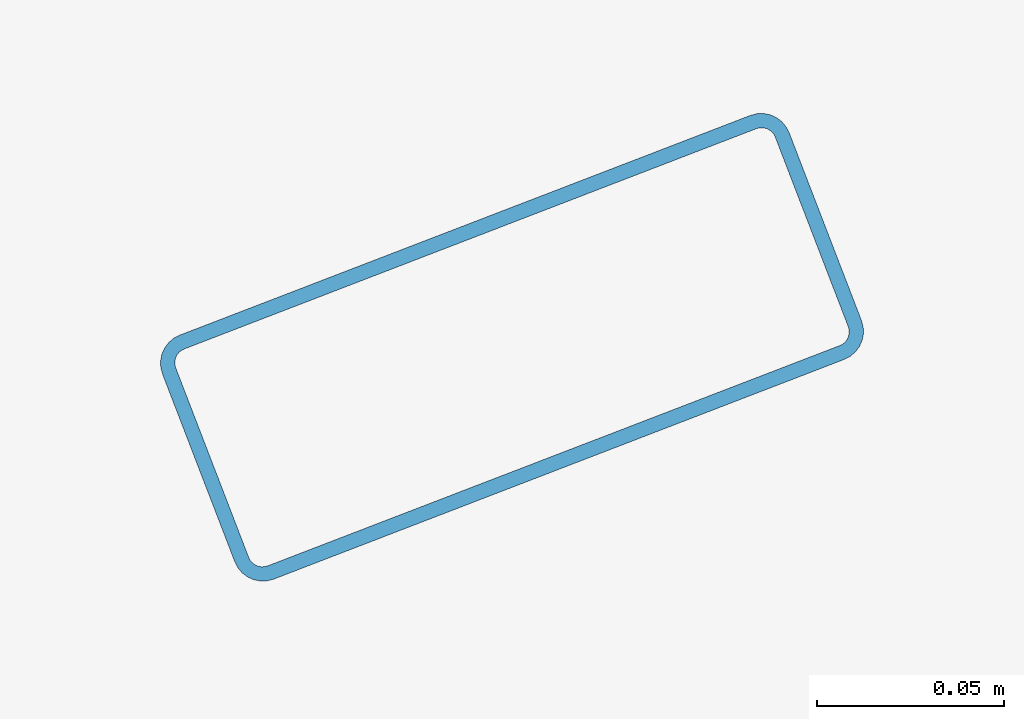
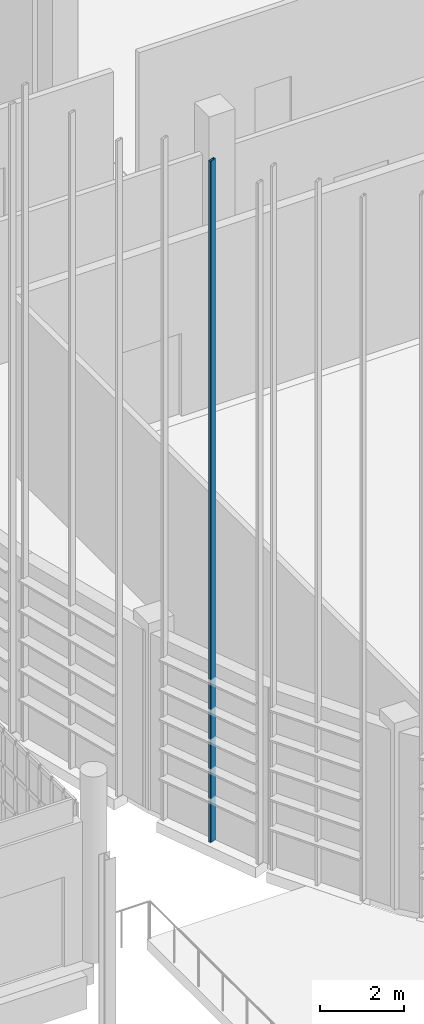
# One storey, part 163 of 372: 1 member.
"""IFC4 building model written with IfcOpenShell, lengths in metres."""

from ifc_helpers import new_model, si_unit, direction, frame, origin, origin_2d, place, context, subcontext, project, spatial, hollow_rectangle, extrude, material, material_profile, profile_set, type_object, element, save


model = new_model("IFC4")

# Units and contexts
model_context = context("Model", 3, precision=1e-05, world=origin(), true_north=direction((0.0, 1.0)))
body_context = subcontext(model_context, "Body", "Model", "MODEL_VIEW")
ifc_project = project(units=[si_unit("LENGTHUNIT", "METRE"), si_unit("AREAUNIT", "SQUARE_METRE"), si_unit("VOLUMEUNIT", "CUBIC_METRE"), si_unit("PLANEANGLEUNIT", "RADIAN"), si_unit("MASSUNIT", "GRAM", prefix="KILO")], contexts=[model_context])

# Site, building, storey
site_placement = place(None, origin())
site = spatial("IfcSite", under=ifc_project, at=site_placement, CompositionType="ELEMENT")
building_placement = place(site_placement, origin())
building = spatial("IfcBuilding", under=site, at=building_placement, Name="Kaelora Sail Theatre", CompositionType="ELEMENT")
storey_placement = place(building_placement, origin())
storey = spatial("IfcBuildingStorey", under=building, at=storey_placement, Name="L00", CompositionType="ELEMENT", Elevation=0.0)

# Member
ifc_material = material(Name="Anodised aluminium 6063-T6", Category="aluminium")
ifc_material_profile = material_profile(ifc_material, hollow_rectangle(XDim=0.070068359375, YDim=0.179931640625, WallThickness=0.00390625, InnerFilletRadius=0.00390625, OuterFilletRadius=0.008056640625, at=origin_2d()), Name="ALU-MULL 70x180x4")
ifc_profile_set = profile_set([ifc_material_profile], Name="Anodised aluminium 6063-T6")
member_type = type_object("IfcMemberType", Name="ARC-MEM-PST-160", PredefinedType="POST", material=ifc_profile_set)
member_placement = place(storey_placement, frame((79.209716796875, 41.4140625, 0.0), z_axis=(0.0, 0.0, 1.0), x_axis=(-0.359345396006, 0.933204632634, 0.0)))
element("IfcMember", 1, at=member_placement, inside=storey, type_object=member_type, Name="Studio Theatre Sail Drum solar louvre vertical support post C16-2", PredefinedType="POST", context=body_context, shape_type="SweptSolid", body=[
    extrude(hollow_rectangle(XDim=0.070068359375, YDim=0.179931640625, WallThickness=0.00390625, InnerFilletRadius=0.00390625, OuterFilletRadius=0.008056640625, at=origin_2d()), origin(), (0.0, 0.0, 1.0), 19.72119140625),
])

save(model, "model.ifc")
